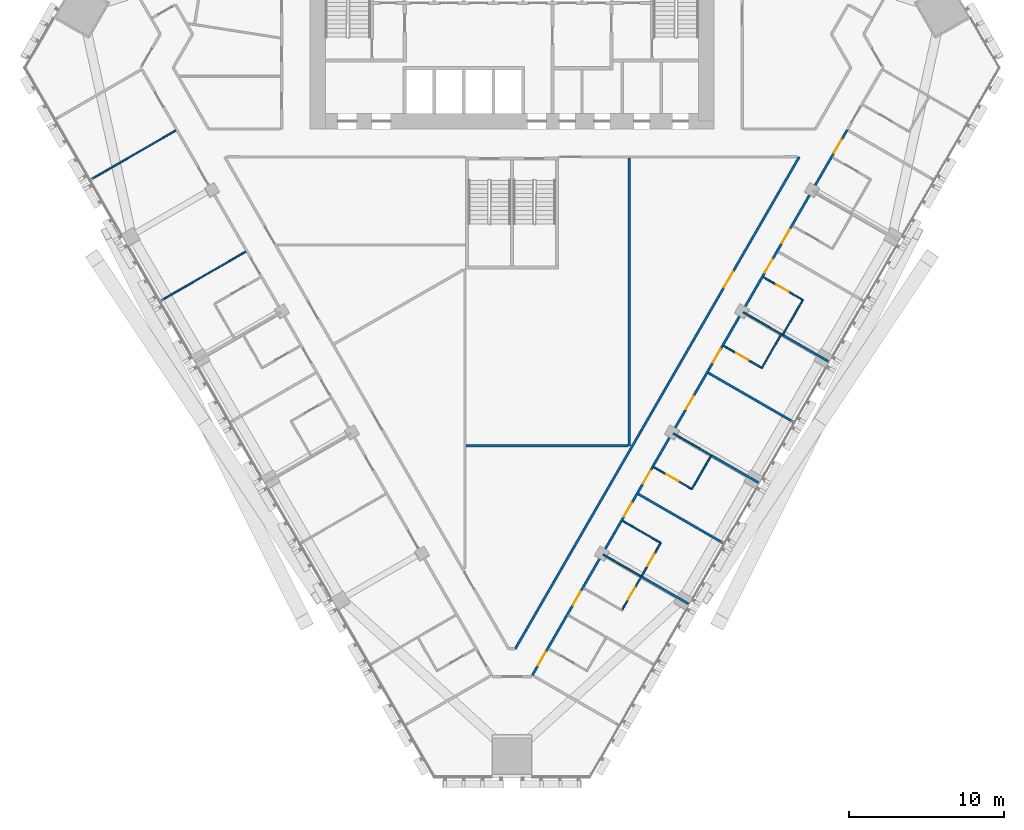
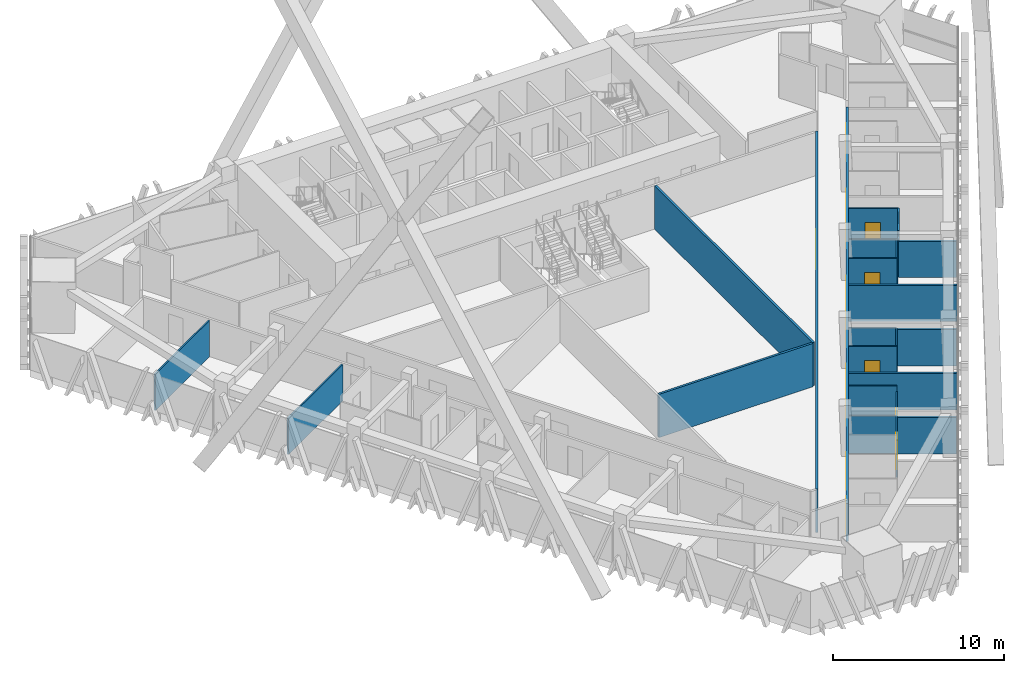
# One storey, part 17 of 24: 23 walls, 15 doors, 15 openings.
"""IFC4 building model written with IfcOpenShell, lengths in metres."""

import ifcopenshell
import ifcopenshell.guid

model = None  # the IFC model being written
_history = None  # IfcOwnerHistory: only IFC2X3 demands one
_inside = {}  # id of a spatial element -> (the spatial element, [elements in it])
_under = {}  # id of a project, library or spatial element -> (it, [spatial elements below it])
_declared = {}  # id of a project -> (the project, [libraries it declares])
_typed = {}  # id of a type object -> (the type object, [elements of that type])
_made_of = {}  # id of a material, layer set ... -> (it, [elements and type objects made of it])


def new_model(schema):
    """Start an empty IFC model of exactly this schema.

    Asked for "IFC4X3", IfcOpenShell would pick the latest addendum, in which some entities
    have other attributes; the version numbers below select the first issue.
    IFC2X3 requires an IfcOwnerHistory on every rooted entity: one is made here for all.
    """
    global model, _history
    if schema == "IFC4X3":
        model = ifcopenshell.file(schema_version=(4, 3, 0, 0))
    else:
        model = ifcopenshell.file(schema=schema)
    _inside.clear()
    _under.clear()
    _declared.clear()
    _typed.clear()
    _made_of.clear()
    _history = None
    if model.schema == "IFC2X3":
        org = make("IfcOrganization", Name="unknown")
        user = make(
            "IfcPersonAndOrganization",
            ThePerson=make("IfcPerson", FamilyName="unknown"),
            TheOrganization=org,
        )
        app = make(
            "IfcApplication",
            ApplicationDeveloper=org,
            Version="unknown",
            ApplicationFullName="unknown",
            ApplicationIdentifier="unknown",
        )
        _history = make(
            "IfcOwnerHistory",
            OwningUser=user,
            OwningApplication=app,
            ChangeAction="ADDED",
            CreationDate=0,
        )
    return model


def make(cls, **values):
    """One entity of the class cls with the attributes given. An attribute that is None is left unset."""
    return model.create_entity(
        cls, **{name: value for name, value in values.items() if value is not None}
    )


def rooted(cls, **values):
    """An entity with a GlobalId (a new one), such as an element, a storey or a relation."""
    return make(cls, GlobalId=ifcopenshell.guid.new(), OwnerHistory=_history, **values)


def si_unit(unit_type, name, prefix=None):
    """IfcSIUnit, for example si_unit("LENGTHUNIT", "METRE", prefix="MILLI")."""
    return make("IfcSIUnit", UnitType=unit_type, Prefix=prefix, Name=name)


def assignment(units):
    """IfcUnitAssignment: the units of a project."""
    return None if units is None else make("IfcUnitAssignment", Units=units)


def point(xyz):
    """IfcCartesianPoint."""
    return None if xyz is None else make("IfcCartesianPoint", Coordinates=xyz)


def direction(xyz):
    """IfcDirection."""
    return None if xyz is None else make("IfcDirection", DirectionRatios=xyz)


def frame(location, z_axis=None, x_axis=None):
    """IfcAxis2Placement3D, a coordinate frame: its origin and axes. An axis left out is left unset."""
    return make(
        "IfcAxis2Placement3D",
        Location=point(location),
        Axis=direction(z_axis),
        RefDirection=direction(x_axis),
    )


def frame_2d(location, x_axis=None):
    """IfcAxis2Placement2D, a coordinate frame in the plane: its origin and x axis."""
    return make(
        "IfcAxis2Placement2D", Location=point(location), RefDirection=direction(x_axis)
    )


def origin():
    """The frame at (0, 0, 0) with its axes left unset."""
    return frame((0.0, 0.0, 0.0))


def place(relative_to, where):
    """IfcLocalPlacement: puts the frame where relative to a parent placement (None: the world)."""
    return make(
        "IfcLocalPlacement", PlacementRelTo=relative_to, RelativePlacement=where
    )


def context(
    kind, dimensions, precision=None, world=None, true_north=None, identifier=None
):
    """IfcGeometricRepresentationContext, for example the 3D "Model" context."""
    return make(
        "IfcGeometricRepresentationContext",
        ContextIdentifier=identifier,
        ContextType=kind,
        CoordinateSpaceDimension=dimensions,
        Precision=precision,
        WorldCoordinateSystem=world,
        TrueNorth=true_north,
    )


def subcontext(parent, identifier, kind, view, scale=None):
    """IfcGeometricRepresentationSubContext, for example "Body" below "Model"."""
    return make(
        "IfcGeometricRepresentationSubContext",
        ContextIdentifier=identifier,
        ContextType=kind,
        ParentContext=parent,
        TargetScale=scale,
        TargetView=view,
    )


def project(units=None, contexts=None):
    """IfcProject with its units and contexts."""
    return rooted(
        "IfcProject",
        Name="project",
        RepresentationContexts=contexts,
        UnitsInContext=assignment(units),
    )


def spatial(cls, under=None, at=None, **own):
    """A site, building, storey or space (cls), placed at a placement, below another one or the project."""
    s = rooted(cls, ObjectPlacement=at, **own)
    if under is not None:
        _under.setdefault(under.id(), (under, []))[1].append(s)
    return s


def profile(cls, at=None, kind="AREA", **sizes):
    """A parametric profile (cls). Its sizes go by their IFC names, for example OverallWidth=200.0."""
    return make(cls, ProfileType=kind, Position=at, **sizes)


def rectangle(**sizes):
    """IfcRectangleProfileDef."""
    return profile("IfcRectangleProfileDef", **sizes)


def extrude(swept, where, along, depth):
    """IfcExtrudedAreaSolid: the profile swept, set in the frame where, extruded along a direction by depth."""
    return make(
        "IfcExtrudedAreaSolid",
        SweptArea=swept,
        Position=where,
        ExtrudedDirection=direction(along),
        Depth=depth,
    )


def shape(context_of_items, identifier, shape_type, items):
    """IfcShapeRepresentation: the items that make up one representation, for example the "Body"."""
    return make(
        "IfcShapeRepresentation",
        ContextOfItems=context_of_items,
        RepresentationIdentifier=identifier,
        RepresentationType=shape_type,
        Items=items,
    )


def material(Name=None, Category=None):
    """IfcMaterial."""
    return make("IfcMaterial", Name=Name, Category=Category)


def layer(
    of_material, thickness, ventilated=None, Name=None, Category=None, Priority=None
):
    """IfcMaterialLayer: one layer of a wall or slab, of a material (None: an air gap)."""
    return make(
        "IfcMaterialLayer",
        Material=of_material,
        LayerThickness=thickness,
        IsVentilated=ventilated,
        Name=Name,
        Category=Category,
        Priority=Priority,
    )


def layer_set(layers, Name=None):
    """IfcMaterialLayerSet."""
    return make("IfcMaterialLayerSet", MaterialLayers=layers, LayerSetName=Name)


def made_of(thing, what):
    """Note that an element or type object is made of a material, layer set ...; save() writes the relation."""
    if what is not None:
        _made_of.setdefault(what.id(), (what, []))[1].append(thing)
    return thing


def type_object(cls, material=None, **own):
    """A type object (cls), such as IfcWallType, which elements share."""
    return made_of(rooted(cls, **own), material)


def element(
    cls,
    number,
    at=None,
    inside=None,
    cuts=None,
    type_object=None,
    material=None,
    context=None,
    identifier="Body",
    shape_type=None,
    held_by="IfcProductDefinitionShape",
    body=None,
    shapes=None,
    **own,
):
    """One element of the class cls, such as IfcWall. Its Tag is "e" and its number.

    at: its placement. inside: the storey or other place that contains it. cuts: it is an
    opening in that element (IfcRelVoidsElement). A single representation is given by context,
    identifier, shape_type and body (its items); several are given by shapes. held_by: the class
    of the entity that holds the representations. save() writes the other relations.
    """
    e = rooted(cls, Tag="e%d" % number, ObjectPlacement=at, **own)
    if body is not None:
        shapes = [shape(context, identifier, shape_type, body)]
    if shapes is not None:
        e.Representation = make(held_by, Representations=shapes)
    if inside is not None:
        _inside.setdefault(inside.id(), (inside, []))[1].append(e)
    if cuts is not None:
        rooted(
            "IfcRelVoidsElement", RelatingBuildingElement=cuts, RelatedOpeningElement=e
        )
    if type_object is not None:
        _typed.setdefault(type_object.id(), (type_object, []))[1].append(e)
    return made_of(e, material)


def fill(opening, filler):
    """IfcRelFillsElement: the door or window that sits in an opening."""
    return rooted(
        "IfcRelFillsElement",
        RelatingOpeningElement=opening,
        RelatedBuildingElement=filler,
    )


def aggregate(whole, parts):
    """IfcRelAggregates: a whole, such as a stair, and the parts it consists of."""
    return rooted("IfcRelAggregates", RelatingObject=whole, RelatedObjects=parts)


def save(model, path):
    """Write the relations noted so far, then the file.

    IfcRelAggregates (storeys below a building ...), IfcRelContainedInSpatialStructure (elements
    in a storey), IfcRelDefinesByType, IfcRelAssociatesMaterial and IfcRelDeclares: one each for
    every whole, place, type object, material and project.
    """
    for whole, parts in _under.values():
        aggregate(whole, parts)
    for where, things in _inside.values():
        rooted(
            "IfcRelContainedInSpatialStructure",
            RelatedElements=things,
            RelatingStructure=where,
        )
    for kind, things in _typed.values():
        rooted("IfcRelDefinesByType", RelatedObjects=things, RelatingType=kind)
    for what, things in _made_of.values():
        rooted("IfcRelAssociatesMaterial", RelatedObjects=things, RelatingMaterial=what)
    for by, libraries in _declared.values():
        rooted("IfcRelDeclares", RelatingContext=by, RelatedDefinitions=libraries)
    model.write(path)


model = new_model("IFC4")

# Units and contexts
model_context = context("Model", 3, precision=1e-05, world=origin(), true_north=direction((0.0, 1.0)))
body_context = subcontext(model_context, "Body", "Model", "MODEL_VIEW")
ifc_project = project(units=[si_unit("LENGTHUNIT", "METRE"), si_unit("AREAUNIT", "SQUARE_METRE"), si_unit("VOLUMEUNIT", "CUBIC_METRE"), si_unit("PLANEANGLEUNIT", "RADIAN"), si_unit("MASSUNIT", "GRAM", prefix="KILO")], contexts=[model_context])

# Site, building, storey
site_placement = place(None, origin())
site = spatial("IfcSite", under=ifc_project, at=site_placement, CompositionType="ELEMENT")
building_placement = place(site_placement, origin())
building = spatial("IfcBuilding", under=site, at=building_placement, Name="Altiplano Prism Tower", CompositionType="ELEMENT")
storey_placement = place(building_placement, frame((0.0, 0.0, 27.0)))
storey = spatial("IfcBuildingStorey", under=building, at=storey_placement, Name="L05", CompositionType="ELEMENT", Elevation=27.0)

# Wall
ifc_material_1 = material(Name="Plasterboard on steel stud", Category="steel")
ifc_layer_1 = layer(ifc_material_1, 0.10009765625)
ifc_layer_set_1 = layer_set([ifc_layer_1], Name="Plasterboard on steel stud")
wall_type_1 = type_object("IfcWallType", Name="Partition 100 unit", PredefinedType="PARTITIONING", material=ifc_layer_set_1)
wall_1_placement = place(storey_placement, frame((92.122314453125, 67.186279296875, 0.0), z_axis=(0.0, 0.0, 1.0), x_axis=(0.866011447264, -0.500024172624, 0.0)))
element("IfcWall", 1, at=wall_1_placement, inside=storey, type_object=wall_type_1, Name="Partition P02 L05 063", PredefinedType="PARTITIONING", context=body_context, shape_type="SweptSolid", body=[
    extrude(rectangle(XDim=2.824951171875, YDim=0.10009765625, at=frame_2d((1.41259765625, 0.0))), origin(), (0.0, 0.0, 1.0), 3.10009765625),
])

# Wall, openings, doors
wall_2_placement = place(storey_placement, frame((94.56884765625, 65.773681640625, 0.0), z_axis=(0.0, 0.0, 1.0), x_axis=(-0.500004234368, -0.866022959057, 0.0)))
wall_2 = element("IfcWall", 2, at=wall_2_placement, inside=storey, type_object=wall_type_1, Name="Partition P02 L05 064", PredefinedType="PARTITIONING", context=body_context, shape_type="SweptSolid", body=[
    extrude(rectangle(XDim=5.0, YDim=0.10009765625, at=frame_2d((2.5, 0.0))), origin(), (0.0, 0.0, 1.0), 2.699951171875),
])
opening_1_placement = place(wall_2_placement, frame((3.300048828125, 0.0, 0.0)))
opening_1 = element("IfcOpeningElement", 3, at=opening_1_placement, cuts=wall_2, Name="Opening D0156", PredefinedType="OPENING", context=body_context, shape_type="SweptSolid", body=[
    extrude(rectangle(XDim=0.89990234375, YDim=2.10009765625, at=frame_2d((0.449951171875, 1.050048828125))), frame((0.0, 0.060546875, 0.0), z_axis=(0.0, -1.0, 0.0), x_axis=(1.0, 0.0, 0.0)), (0.0, 0.0, 1.0), 0.12109375),
])
opening_2_placement = place(wall_2_placement, frame((0.800048828125, 0.0, 0.0)))
opening_2 = element("IfcOpeningElement", 4, at=opening_2_placement, cuts=wall_2, Name="Opening D0158", PredefinedType="OPENING", context=body_context, shape_type="SweptSolid", body=[
    extrude(rectangle(XDim=0.89990234375, YDim=2.10009765625, at=frame_2d((0.449951171875, 1.050048828125))), frame((0.0, 0.060546875, 0.0), z_axis=(0.0, -1.0, 0.0), x_axis=(1.0, 0.0, 0.0)), (0.0, 0.0, 1.0), 0.12109375),
])
ifc_material_2 = material(Name="Timber", Category="wood")
door_type_1 = type_object("IfcDoorType", Name="Ensuite door 900 x 2100", OperationType="NOTDEFINED", PredefinedType="NOTDEFINED", material=ifc_material_2)
door_1_placement = place(opening_1_placement, origin())
door_1 = element("IfcDoor", 5, at=door_1_placement, inside=storey, type_object=door_type_1, Name="Door D0156", OperationType="SINGLE_SWING_RIGHT", OverallHeight=2.10009765625, OverallWidth=0.89990234375, PredefinedType="NOTDEFINED", context=body_context, shape_type="SweptSolid", body=[
    extrude(rectangle(XDim=0.89990234375, YDim=2.10009765625, at=frame_2d((0.449951171875, 1.050048828125))), frame((0.0, 0.02490234375, 0.0), z_axis=(0.0, -1.0, 0.0), x_axis=(1.0, 0.0, 0.0)), (0.0, 0.0, 1.0), 0.050048828125),
])
fill(opening_1, door_1)
door_2_placement = place(opening_2_placement, origin())
door_2 = element("IfcDoor", 6, at=door_2_placement, inside=storey, type_object=door_type_1, Name="Door D0158", OperationType="SINGLE_SWING_RIGHT", OverallHeight=2.10009765625, OverallWidth=0.89990234375, PredefinedType="NOTDEFINED", context=body_context, shape_type="SweptSolid", body=[
    extrude(rectangle(XDim=0.89990234375, YDim=2.10009765625, at=frame_2d((0.449951171875, 1.050048828125))), frame((0.0, 0.02490234375, 0.0), z_axis=(0.0, -1.0, 0.0), x_axis=(1.0, 0.0, 0.0)), (0.0, 0.0, 1.0), 0.050048828125),
])
fill(opening_2, door_2)

# Wall
wall_3_placement = place(storey_placement, frame((97.78125, 71.337890625, 0.0), z_axis=(0.0, 0.0, 1.0), x_axis=(-0.499972286653, -0.866041403502, 0.0)))
element("IfcWall", 7, at=wall_3_placement, inside=storey, type_object=wall_type_1, Name="Partition P02 L05 066", PredefinedType="PARTITIONING", context=body_context, shape_type="SweptSolid", body=[
    extrude(rectangle(XDim=2.425048828125, YDim=0.10009765625, at=frame_2d((1.21240234375, 0.0))), origin(), (0.0, 0.0, 1.0), 2.699951171875),
])

# Wall, opening, door
wall_4_placement = place(storey_placement, frame((96.56884765625, 69.23779296875, 0.0), z_axis=(0.0, 0.0, 1.0), x_axis=(-0.866011447264, 0.500024172624, 0.0)))
wall_4 = element("IfcWall", 8, at=wall_4_placement, inside=storey, type_object=wall_type_1, Name="Partition P02 L05 067", PredefinedType="PARTITIONING", context=body_context, shape_type="SweptSolid", body=[
    extrude(rectangle(XDim=2.824951171875, YDim=0.10009765625, at=frame_2d((1.41259765625, 0.0))), origin(), (0.0, 0.0, 1.0), 3.10009765625),
])
opening_3_placement = place(wall_4_placement, frame((1.0, 0.0, 0.0)))
opening_3 = element("IfcOpeningElement", 9, at=opening_3_placement, cuts=wall_4, Name="Opening D0160", PredefinedType="OPENING", context=body_context, shape_type="SweptSolid", body=[
    extrude(rectangle(XDim=0.89990234375, YDim=2.10009765625, at=frame_2d((0.449951171875, 1.050048828125))), frame((0.0, 0.060546875, 0.0), z_axis=(0.0, -1.0, 0.0), x_axis=(1.0, 0.0, 0.0)), (0.0, 0.0, 1.0), 0.12109375),
])
door_3_placement = place(opening_3_placement, origin())
door_3 = element("IfcDoor", 10, at=door_3_placement, inside=storey, type_object=door_type_1, Name="Door D0160", OperationType="SINGLE_SWING_RIGHT", OverallHeight=2.10009765625, OverallWidth=0.89990234375, PredefinedType="NOTDEFINED", context=body_context, shape_type="SweptSolid", body=[
    extrude(rectangle(XDim=0.89990234375, YDim=2.10009765625, at=frame_2d((0.449951171875, 1.050048828125))), frame((0.0, 0.02490234375, 0.0), z_axis=(0.0, -1.0, 0.0), x_axis=(1.0, 0.0, 0.0)), (0.0, 0.0, 1.0), 0.050048828125),
])
fill(opening_3, door_3)

# Wall
wall_5_placement = place(storey_placement, frame((102.31884765625, 79.197021484375, 0.0), z_axis=(0.0, 0.0, 1.0), x_axis=(-0.500004234368, -0.866022959057, 0.0)))
element("IfcWall", 11, at=wall_5_placement, inside=storey, type_object=wall_type_1, Name="Partition P02 L05 071", PredefinedType="PARTITIONING", context=body_context, shape_type="SweptSolid", body=[
    extrude(rectangle(XDim=2.5, YDim=0.10009765625, at=frame_2d((1.25, 0.0))), origin(), (0.0, 0.0, 1.0), 2.699951171875),
])

# Wall, opening, door
wall_6_placement = place(storey_placement, frame((101.06884765625, 77.031982421875, 0.0), z_axis=(0.0, 0.0, 1.0), x_axis=(-0.866011447264, 0.500024172624, 0.0)))
wall_6 = element("IfcWall", 12, at=wall_6_placement, inside=storey, type_object=wall_type_1, Name="Partition P02 L05 072", PredefinedType="PARTITIONING", context=body_context, shape_type="SweptSolid", body=[
    extrude(rectangle(XDim=2.824951171875, YDim=0.10009765625, at=frame_2d((1.41259765625, 0.0))), origin(), (0.0, 0.0, 1.0), 3.10009765625),
])
opening_4_placement = place(wall_6_placement, frame((1.0, 0.0, 0.0)))
opening_4 = element("IfcOpeningElement", 13, at=opening_4_placement, cuts=wall_6, Name="Opening D0163", PredefinedType="OPENING", context=body_context, shape_type="SweptSolid", body=[
    extrude(rectangle(XDim=0.89990234375, YDim=2.10009765625, at=frame_2d((0.449951171875, 1.050048828125))), frame((0.0, 0.060546875, 0.0), z_axis=(0.0, -1.0, 0.0), x_axis=(1.0, 0.0, 0.0)), (0.0, 0.0, 1.0), 0.12109375),
])
door_4_placement = place(opening_4_placement, origin())
door_4 = element("IfcDoor", 14, at=door_4_placement, inside=storey, type_object=door_type_1, Name="Door D0163", OperationType="SINGLE_SWING_LEFT", OverallHeight=2.10009765625, OverallWidth=0.89990234375, PredefinedType="NOTDEFINED", context=body_context, shape_type="SweptSolid", body=[
    extrude(rectangle(XDim=0.89990234375, YDim=2.10009765625, at=frame_2d((0.449951171875, 1.050048828125))), frame((0.0, 0.02490234375, 0.0), z_axis=(0.0, -1.0, 0.0), x_axis=(1.0, 0.0, 0.0)), (0.0, 0.0, 1.0), 0.050048828125),
])
fill(opening_4, door_4)

wall_7_placement = place(storey_placement, frame((101.17236328125, 82.861328125, 0.0), z_axis=(0.0, 0.0, 1.0), x_axis=(0.86601045545, -0.500025890382, 0.0)))
wall_7 = element("IfcWall", 15, at=wall_7_placement, inside=storey, type_object=wall_type_1, Name="Partition P02 L05 075", PredefinedType="PARTITIONING", context=body_context, shape_type="SweptSolid", body=[
    extrude(rectangle(XDim=2.925048828125, YDim=0.10009765625, at=frame_2d((1.46240234375, 0.0))), origin(), (0.0, 0.0, 1.0), 3.10009765625),
])
opening_5_placement = place(wall_7_placement, frame((0.97509765625, 0.0, 0.0)))
opening_5 = element("IfcOpeningElement", 16, at=opening_5_placement, cuts=wall_7, Name="Opening D0165", PredefinedType="OPENING", context=body_context, shape_type="SweptSolid", body=[
    extrude(rectangle(XDim=0.89990234375, YDim=2.10009765625, at=frame_2d((0.449951171875, 1.050048828125))), frame((0.0, 0.060546875, 0.0), z_axis=(0.0, -1.0, 0.0), x_axis=(1.0, 0.0, 0.0)), (0.0, 0.0, 1.0), 0.12109375),
])
door_5_placement = place(opening_5_placement, origin())
door_5 = element("IfcDoor", 17, at=door_5_placement, inside=storey, type_object=door_type_1, Name="Door D0165", OperationType="SINGLE_SWING_RIGHT", OverallHeight=2.10009765625, OverallWidth=0.89990234375, PredefinedType="NOTDEFINED", context=body_context, shape_type="SweptSolid", body=[
    extrude(rectangle(XDim=0.89990234375, YDim=2.10009765625, at=frame_2d((0.449951171875, 1.050048828125))), frame((0.0, 0.02490234375, 0.0), z_axis=(0.0, -1.0, 0.0), x_axis=(1.0, 0.0, 0.0)), (0.0, 0.0, 1.0), 0.050048828125),
])
fill(opening_5, door_5)

# Walls
wall_8_placement = place(storey_placement, frame((103.70556640625, 81.398681640625, 0.0), z_axis=(0.0, 0.0, 1.0), x_axis=(-0.500077740698, -0.865980515519, 0.0)))
element("IfcWall", 18, at=wall_8_placement, inside=storey, type_object=wall_type_1, Name="Partition P02 L05 076", PredefinedType="PARTITIONING", context=body_context, shape_type="SweptSolid", body=[
    extrude(rectangle(XDim=2.300048828125, YDim=0.10009765625, at=frame_2d((1.14990234375, 0.0))), origin(), (0.0, 0.0, 1.0), 3.10009765625),
])
wall_9_placement = place(storey_placement, frame((102.555419921875, 79.406982421875, 0.0), z_axis=(0.0, 0.0, 1.0), x_axis=(-0.499816412211, -0.866131372301, 0.0)))
element("IfcWall", 19, at=wall_9_placement, inside=storey, type_object=wall_type_1, Name="Partition P02 L05 077", PredefinedType="PARTITIONING", context=body_context, shape_type="SweptSolid", body=[
    extrude(rectangle(XDim=0.2998046875, YDim=0.10009765625, at=frame_2d((0.14990234375, 0.0))), origin(), (0.0, 0.0, 1.0), 2.699951171875),
])
ifc_layer_2 = layer(ifc_material_1, 0.10009765625)
ifc_layer_set_2 = layer_set([ifc_layer_2], Name="Plasterboard on steel stud")
wall_type_2 = type_object("IfcWallType", Name="Partition 100 wet", PredefinedType="PARTITIONING", material=ifc_layer_set_2)
for number, where, z_axis, x_axis, name in (
    (20, (57.882568359375, 89.12841796875, 0.0), (0.0, 0.0, 1.0), (0.866025401434, 0.500000004071, 0.0), "Partition P03 L05 038"),
    (21, (62.382568359375, 81.334228515625, 0.0), (0.0, 0.0, 1.0), (0.866025401434, 0.500000004071, 0.0), "Partition P03 L05 039"),
):
    element("IfcWall", number, at=place(storey_placement, frame(where, z_axis=z_axis, x_axis=x_axis)), inside=storey, type_object=wall_type_2, Name=name, PredefinedType="PARTITIONING", context=body_context, shape_type="SweptSolid", body=[
        extrude(rectangle(XDim=6.34521484375, YDim=0.10009765625, at=frame_2d((3.172607421875, 0.0))), origin(), (0.0, 0.0, 1.0), 2.60009765625),
    ])
wall_10_placement = place(storey_placement, frame((93.275634765625, 63.633544921875, 0.0), z_axis=(0.0, 0.0, 1.0), x_axis=(-0.86600392025, 0.500037208726, 0.0)))
element("IfcWall", 22, at=wall_10_placement, inside=storey, type_object=wall_type_2, Name="Partition P03 L05 062", PredefinedType="PARTITIONING", context=body_context, shape_type="SweptSolid", body=[
    extrude(rectangle(XDim=2.775146484375, YDim=0.10009765625, at=frame_2d((1.3876953125, 0.0))), origin(), (0.0, 0.0, 1.0), 2.699951171875),
])
wall_11_placement = place(storey_placement, frame((97.801513671875, 71.412841796875, 0.0), z_axis=(0.0, 0.0, 1.0), x_axis=(-0.866011654119, 0.500023814363, 0.0)))
element("IfcWall", 23, at=wall_11_placement, inside=storey, type_object=wall_type_2, Name="Partition P03 L05 069", PredefinedType="PARTITIONING", context=body_context, shape_type="SweptSolid", body=[
    extrude(rectangle(XDim=2.804931640625, YDim=0.10009765625, at=frame_2d((1.40234375, 0.0))), origin(), (0.0, 0.0, 1.0), 2.699951171875),
])
wall_12_placement = place(storey_placement, frame((102.336181640625, 79.18701171875, 0.0), z_axis=(0.0, 0.0, 1.0), x_axis=(-0.866011243319, 0.500024525844, 0.0)))
element("IfcWall", 24, at=wall_12_placement, inside=storey, type_object=wall_type_2, Name="Partition P03 L05 074", PredefinedType="PARTITIONING", context=body_context, shape_type="SweptSolid", body=[
    extrude(rectangle(XDim=2.844970703125, YDim=0.10009765625, at=frame_2d((1.42236328125, 0.0))), origin(), (0.0, 0.0, 1.0), 2.699951171875),
])

# Wall, openings, doors
ifc_layer_3 = layer(ifc_material_1, 0.14990234375)
ifc_layer_set_3 = layer_set([ifc_layer_3], Name="Plasterboard on steel stud")
wall_type_3 = type_object("IfcWallType", Name="Partition 150 corridor", PredefinedType="PARTITIONING", material=ifc_layer_set_3)
wall_13_placement = place(storey_placement, frame((86.307373046875, 57.264404296875, 0.0), z_axis=(0.0, 0.0, 1.0), x_axis=(0.500000579958, 0.866025068945, 0.0)))
wall_13 = element("IfcWall", 25, at=wall_13_placement, inside=storey, type_object=wall_type_3, Name="Partition P06 L05 012", PredefinedType="PARTITIONING", context=body_context, shape_type="SweptSolid", body=[
    extrude(rectangle(XDim=40.5, YDim=0.14990234375, at=frame_2d((20.25, 0.0))), origin(), (0.0, 0.0, 1.0), 2.699951171875),
])
opening_6_placement = place(wall_13_placement, frame((0.719970703125, 0.0, 0.0)))
opening_6 = element("IfcOpeningElement", 26, at=opening_6_placement, cuts=wall_13, Name="Opening D0153", PredefinedType="OPENING", context=body_context, shape_type="SweptSolid", body=[
    extrude(rectangle(XDim=1.0, YDim=2.10009765625, at=frame_2d((0.5, 1.050048828125))), frame((0.0, 0.08544921875, 0.0), z_axis=(0.0, -1.0, 0.0), x_axis=(1.0, 0.0, 0.0)), (0.0, 0.0, 1.0), 0.1708984375),
])
opening_7_placement = place(wall_13_placement, frame((5.219970703125, 0.0, 0.0)))
opening_7 = element("IfcOpeningElement", 27, at=opening_7_placement, cuts=wall_13, Name="Opening D0155", PredefinedType="OPENING", context=body_context, shape_type="SweptSolid", body=[
    extrude(rectangle(XDim=1.0, YDim=2.10009765625, at=frame_2d((0.5, 1.050048828125))), frame((0.0, 0.08544921875, 0.0), z_axis=(0.0, -1.0, 0.0), x_axis=(1.0, 0.0, 0.0)), (0.0, 0.0, 1.0), 0.1708984375),
])
opening_8_placement = place(wall_13_placement, frame((11.780029296875, 0.0, 0.0)))
opening_8 = element("IfcOpeningElement", 28, at=opening_8_placement, cuts=wall_13, Name="Opening D0157", PredefinedType="OPENING", context=body_context, shape_type="SweptSolid", body=[
    extrude(rectangle(XDim=1.0, YDim=2.10009765625, at=frame_2d((0.5, 1.050048828125))), frame((0.0, 0.08544921875, 0.0), z_axis=(0.0, -1.0, 0.0), x_axis=(1.0, 0.0, 0.0)), (0.0, 0.0, 1.0), 0.1708984375),
])
opening_9_placement = place(wall_13_placement, frame((14.219970703125, 0.0, 0.0)))
opening_9 = element("IfcOpeningElement", 29, at=opening_9_placement, cuts=wall_13, Name="Opening D0159", PredefinedType="OPENING", context=body_context, shape_type="SweptSolid", body=[
    extrude(rectangle(XDim=1.0, YDim=2.10009765625, at=frame_2d((0.5, 1.050048828125))), frame((0.0, 0.08544921875, 0.0), z_axis=(0.0, -1.0, 0.0), x_axis=(1.0, 0.0, 0.0)), (0.0, 0.0, 1.0), 0.1708984375),
])
opening_10_placement = place(wall_13_placement, frame((19.75, 0.0, 0.0)))
opening_10 = element("IfcOpeningElement", 30, at=opening_10_placement, cuts=wall_13, Name="Opening D0161", PredefinedType="OPENING", context=body_context, shape_type="SweptSolid", body=[
    extrude(rectangle(XDim=1.0, YDim=2.10009765625, at=frame_2d((0.5, 1.050048828125))), frame((0.0, 0.08544921875, 0.0), z_axis=(0.0, -1.0, 0.0), x_axis=(1.0, 0.0, 0.0)), (0.0, 0.0, 1.0), 0.1708984375),
])
opening_11_placement = place(wall_13_placement, frame((23.219970703125, 0.0, 0.0)))
opening_11 = element("IfcOpeningElement", 31, at=opening_11_placement, cuts=wall_13, Name="Opening D0162", PredefinedType="OPENING", context=body_context, shape_type="SweptSolid", body=[
    extrude(rectangle(XDim=1.0, YDim=2.10009765625, at=frame_2d((0.5, 1.050048828125))), frame((0.0, 0.08544921875, 0.0), z_axis=(0.0, -1.0, 0.0), x_axis=(1.0, 0.0, 0.0)), (0.0, 0.0, 1.0), 0.1708984375),
])
opening_12_placement = place(wall_13_placement, frame((29.89501953125, 0.0, 0.0)))
opening_12 = element("IfcOpeningElement", 32, at=opening_12_placement, cuts=wall_13, Name="Opening D0164", PredefinedType="OPENING", context=body_context, shape_type="SweptSolid", body=[
    extrude(rectangle(XDim=1.0, YDim=2.10009765625, at=frame_2d((0.5, 1.050048828125))), frame((0.0, 0.08544921875, 0.0), z_axis=(0.0, -1.0, 0.0), x_axis=(1.0, 0.0, 0.0)), (0.0, 0.0, 1.0), 0.1708984375),
])
opening_13_placement = place(wall_13_placement, frame((32.10498046875, 0.0, 0.0)))
opening_13 = element("IfcOpeningElement", 33, at=opening_13_placement, cuts=wall_13, Name="Opening D0166", PredefinedType="OPENING", context=body_context, shape_type="SweptSolid", body=[
    extrude(rectangle(XDim=1.0, YDim=2.10009765625, at=frame_2d((0.5, 1.050048828125))), frame((0.0, 0.08544921875, 0.0), z_axis=(0.0, -1.0, 0.0), x_axis=(1.0, 0.0, 0.0)), (0.0, 0.0, 1.0), 0.1708984375),
])
opening_14_placement = place(wall_13_placement, frame((38.780029296875, 0.0, 0.0)))
opening_14 = element("IfcOpeningElement", 34, at=opening_14_placement, cuts=wall_13, Name="Opening D0168", PredefinedType="OPENING", context=body_context, shape_type="SweptSolid", body=[
    extrude(rectangle(XDim=1.0, YDim=2.10009765625, at=frame_2d((0.5, 1.050048828125))), frame((0.0, 0.08544921875, 0.0), z_axis=(0.0, -1.0, 0.0), x_axis=(1.0, 0.0, 0.0)), (0.0, 0.0, 1.0), 0.1708984375),
])
door_type_2 = type_object("IfcDoorType", Name="Bedroom entrance door 1000 x 2100", OperationType="NOTDEFINED", PredefinedType="NOTDEFINED", material=ifc_material_2)
door_6_placement = place(opening_6_placement, origin())
door_6 = element("IfcDoor", 35, at=door_6_placement, inside=storey, type_object=door_type_2, Name="Door D0153", OperationType="SINGLE_SWING_RIGHT", OverallHeight=2.10009765625, OverallWidth=1.0, PredefinedType="NOTDEFINED", context=body_context, shape_type="SweptSolid", body=[
    extrude(rectangle(XDim=1.0, YDim=2.10009765625, at=frame_2d((0.5, 1.050048828125))), frame((0.0, 0.02490234375, 0.0), z_axis=(0.0, -1.0, 0.0), x_axis=(1.0, 0.0, 0.0)), (0.0, 0.0, 1.0), 0.050048828125),
])
fill(opening_6, door_6)
door_7_placement = place(opening_7_placement, origin())
door_7 = element("IfcDoor", 36, at=door_7_placement, inside=storey, type_object=door_type_2, Name="Door D0155", OperationType="SINGLE_SWING_RIGHT", OverallHeight=2.10009765625, OverallWidth=1.0, PredefinedType="NOTDEFINED", context=body_context, shape_type="SweptSolid", body=[
    extrude(rectangle(XDim=1.0, YDim=2.10009765625, at=frame_2d((0.5, 1.050048828125))), frame((0.0, 0.02490234375, 0.0), z_axis=(0.0, -1.0, 0.0), x_axis=(1.0, 0.0, 0.0)), (0.0, 0.0, 1.0), 0.050048828125),
])
fill(opening_7, door_7)
door_8_placement = place(opening_8_placement, origin())
door_8 = element("IfcDoor", 37, at=door_8_placement, inside=storey, type_object=door_type_2, Name="Door D0157", OperationType="SINGLE_SWING_RIGHT", OverallHeight=2.10009765625, OverallWidth=1.0, PredefinedType="NOTDEFINED", context=body_context, shape_type="SweptSolid", body=[
    extrude(rectangle(XDim=1.0, YDim=2.10009765625, at=frame_2d((0.5, 1.050048828125))), frame((0.0, 0.02490234375, 0.0), z_axis=(0.0, -1.0, 0.0), x_axis=(1.0, 0.0, 0.0)), (0.0, 0.0, 1.0), 0.050048828125),
])
fill(opening_8, door_8)
door_9_placement = place(opening_9_placement, origin())
door_9 = element("IfcDoor", 38, at=door_9_placement, inside=storey, type_object=door_type_2, Name="Door D0159", OperationType="SINGLE_SWING_LEFT", OverallHeight=2.10009765625, OverallWidth=1.0, PredefinedType="NOTDEFINED", context=body_context, shape_type="SweptSolid", body=[
    extrude(rectangle(XDim=1.0, YDim=2.10009765625, at=frame_2d((0.5, 1.050048828125))), frame((0.0, 0.02490234375, 0.0), z_axis=(0.0, -1.0, 0.0), x_axis=(1.0, 0.0, 0.0)), (0.0, 0.0, 1.0), 0.050048828125),
])
fill(opening_9, door_9)
door_10_placement = place(opening_11_placement, origin())
door_10 = element("IfcDoor", 39, at=door_10_placement, inside=storey, type_object=door_type_2, Name="Door D0162", OperationType="SINGLE_SWING_RIGHT", OverallHeight=2.10009765625, OverallWidth=1.0, PredefinedType="NOTDEFINED", context=body_context, shape_type="SweptSolid", body=[
    extrude(rectangle(XDim=1.0, YDim=2.10009765625, at=frame_2d((0.5, 1.050048828125))), frame((0.0, 0.02490234375, 0.0), z_axis=(0.0, -1.0, 0.0), x_axis=(1.0, 0.0, 0.0)), (0.0, 0.0, 1.0), 0.050048828125),
])
fill(opening_11, door_10)
door_11_placement = place(opening_12_placement, origin())
door_11 = element("IfcDoor", 40, at=door_11_placement, inside=storey, type_object=door_type_2, Name="Door D0164", OperationType="SINGLE_SWING_RIGHT", OverallHeight=2.10009765625, OverallWidth=1.0, PredefinedType="NOTDEFINED", context=body_context, shape_type="SweptSolid", body=[
    extrude(rectangle(XDim=1.0, YDim=2.10009765625, at=frame_2d((0.5, 1.050048828125))), frame((0.0, 0.02490234375, 0.0), z_axis=(0.0, -1.0, 0.0), x_axis=(1.0, 0.0, 0.0)), (0.0, 0.0, 1.0), 0.050048828125),
])
fill(opening_12, door_11)
door_12_placement = place(opening_13_placement, origin())
door_12 = element("IfcDoor", 41, at=door_12_placement, inside=storey, type_object=door_type_2, Name="Door D0166", OperationType="SINGLE_SWING_LEFT", OverallHeight=2.10009765625, OverallWidth=1.0, PredefinedType="NOTDEFINED", context=body_context, shape_type="SweptSolid", body=[
    extrude(rectangle(XDim=1.0, YDim=2.10009765625, at=frame_2d((0.5, 1.050048828125))), frame((0.0, 0.02490234375, 0.0), z_axis=(0.0, -1.0, 0.0), x_axis=(1.0, 0.0, 0.0)), (0.0, 0.0, 1.0), 0.050048828125),
])
fill(opening_13, door_12)
door_13_placement = place(opening_14_placement, origin())
door_13 = element("IfcDoor", 42, at=door_13_placement, inside=storey, type_object=door_type_2, Name="Door D0168", OperationType="SINGLE_SWING_RIGHT", OverallHeight=2.10009765625, OverallWidth=1.0, PredefinedType="NOTDEFINED", context=body_context, shape_type="SweptSolid", body=[
    extrude(rectangle(XDim=1.0, YDim=2.10009765625, at=frame_2d((0.5, 1.050048828125))), frame((0.0, 0.02490234375, 0.0), z_axis=(0.0, -1.0, 0.0), x_axis=(1.0, 0.0, 0.0)), (0.0, 0.0, 1.0), 0.050048828125),
])
fill(opening_14, door_13)
door_type_3 = type_object("IfcDoorType", Name="Room door 1000 x 2100", OperationType="NOTDEFINED", PredefinedType="NOTDEFINED", material=ifc_material_2)
door_14_placement = place(opening_10_placement, origin())
door_14 = element("IfcDoor", 43, at=door_14_placement, inside=storey, type_object=door_type_3, Name="Door D0161", OperationType="SINGLE_SWING_LEFT", OverallHeight=2.10009765625, OverallWidth=1.0, PredefinedType="NOTDEFINED", context=body_context, shape_type="SweptSolid", body=[
    extrude(rectangle(XDim=1.0, YDim=2.10009765625, at=frame_2d((0.5, 1.050048828125))), frame((0.0, 0.02490234375, 0.0), z_axis=(0.0, -1.0, 0.0), x_axis=(1.0, 0.0, 0.0)), (0.0, 0.0, 1.0), 0.050048828125),
])
fill(opening_10, door_14)

# Wall, opening, door
wall_14_placement = place(storey_placement, frame((103.475341796875, 90.60009765625, 0.0), z_axis=(0.0, 0.0, 1.0), x_axis=(-0.500000687442, -0.866025006889, 0.0)))
wall_14 = element("IfcWall", 44, at=wall_14_placement, inside=storey, type_object=wall_type_3, Name="Partition P06 L05 017", PredefinedType="PARTITIONING", context=body_context, shape_type="SweptSolid", body=[
    extrude(rectangle(XDim=36.53466796875, YDim=0.14990234375, at=frame_2d((18.267333984375, 0.0))), origin(), (0.0, 0.0, 1.0), 3.10009765625),
])
opening_15_placement = place(wall_14_placement, frame((8.507080078125, 0.0, 0.0)))
opening_15 = element("IfcOpeningElement", 45, at=opening_15_placement, cuts=wall_14, Name="Opening D0174", PredefinedType="OPENING", context=body_context, shape_type="SweptSolid", body=[
    extrude(rectangle(XDim=1.199951171875, YDim=2.10009765625, at=frame_2d((0.60009765625, 1.050048828125))), frame((0.0, 0.08544921875, 0.0), z_axis=(0.0, -1.0, 0.0), x_axis=(1.0, 0.0, 0.0)), (0.0, 0.0, 1.0), 0.1708984375),
])
door_type_4 = type_object("IfcDoorType", Name="Shared room door 1200 x 2100", OperationType="NOTDEFINED", PredefinedType="NOTDEFINED", material=ifc_material_2)
door_15_placement = place(opening_15_placement, origin())
door_15 = element("IfcDoor", 46, at=door_15_placement, inside=storey, type_object=door_type_4, Name="Door D0174", OperationType="SINGLE_SWING_RIGHT", OverallHeight=2.10009765625, OverallWidth=1.199951171875, PredefinedType="NOTDEFINED", context=body_context, shape_type="SweptSolid", body=[
    extrude(rectangle(XDim=1.199951171875, YDim=2.10009765625, at=frame_2d((0.60009765625, 1.050048828125))), frame((0.0, 0.02490234375, 0.0), z_axis=(0.0, -1.0, 0.0), x_axis=(1.0, 0.0, 0.0)), (0.0, 0.0, 1.0), 0.050048828125),
])
fill(opening_15, door_15)

# Walls
ifc_layer_4 = layer(ifc_material_1, 0.14990234375)
ifc_layer_set_4 = layer_set([ifc_layer_4], Name="Plasterboard on steel stud")
wall_type_4 = type_object("IfcWallType", Name="Partition 150 party", PredefinedType="PARTITIONING", material=ifc_layer_set_4)
wall_15_placement = place(storey_placement, frame((96.349853515625, 61.858642578125, 0.0), z_axis=(0.0, 0.0, 1.0), x_axis=(-0.866013532718, 0.500020560727, 0.0)))
element("IfcWall", 47, at=wall_15_placement, inside=storey, type_object=wall_type_4, Name="Partition P01 L05 061", PredefinedType="PARTITIONING", context=body_context, shape_type="SweptSolid", body=[
    extrude(rectangle(XDim=3.449951171875, YDim=0.14990234375, at=frame_2d((1.72509765625, 0.0))), origin(), (0.0, 0.0, 1.0), 2.60009765625),
])
wall_16_placement = place(storey_placement, frame((98.617431640625, 65.74560546875, 0.0), z_axis=(0.0, 0.0, 1.0), x_axis=(-0.866025401434, 0.500000004071, 0.0)))
element("IfcWall", 48, at=wall_16_placement, inside=storey, type_object=wall_type_4, Name="Partition P01 L05 065", PredefinedType="PARTITIONING", context=body_context, shape_type="SweptSolid", body=[
    extrude(rectangle(XDim=6.34521484375, YDim=0.14990234375, at=frame_2d((3.172607421875, 0.0))), origin(), (0.0, 0.0, 1.0), 2.60009765625),
])
wall_17_placement = place(storey_placement, frame((100.849853515625, 69.65283203125, 0.0), z_axis=(0.0, 0.0, 1.0), x_axis=(-0.866019260715, 0.500010639957, 0.0)))
element("IfcWall", 49, at=wall_17_placement, inside=storey, type_object=wall_type_4, Name="Partition P01 L05 068", PredefinedType="PARTITIONING", context=body_context, shape_type="SweptSolid", body=[
    extrude(rectangle(XDim=3.52001953125, YDim=0.14990234375, at=frame_2d((1.760009765625, 0.0))), origin(), (0.0, 0.0, 1.0), 2.60009765625),
])
wall_18_placement = place(storey_placement, frame((103.117431640625, 73.539794921875, 0.0), z_axis=(0.0, 0.0, 1.0), x_axis=(-0.866025401434, 0.500000004071, 0.0)))
element("IfcWall", 50, at=wall_18_placement, inside=storey, type_object=wall_type_4, Name="Partition P01 L05 070", PredefinedType="PARTITIONING", context=body_context, shape_type="SweptSolid", body=[
    extrude(rectangle(XDim=6.34521484375, YDim=0.14990234375, at=frame_2d((3.172607421875, 0.0))), origin(), (0.0, 0.0, 1.0), 2.60009765625),
])
wall_19_placement = place(storey_placement, frame((105.349853515625, 77.447021484375, 0.0), z_axis=(0.0, 0.0, 1.0), x_axis=(-0.865989465428, 0.500062241894, 0.0)))
element("IfcWall", 51, at=wall_19_placement, inside=storey, type_object=wall_type_4, Name="Partition P01 L05 073", PredefinedType="PARTITIONING", context=body_context, shape_type="SweptSolid", body=[
    extrude(rectangle(XDim=3.39990234375, YDim=0.14990234375, at=frame_2d((1.699951171875, 0.0))), origin(), (0.0, 0.0, 1.0), 2.60009765625),
])
wall_20_placement = place(storey_placement, frame((92.541748046875, 72.014892578125, 0.0), z_axis=(0.0, 0.0, 1.0), x_axis=(0.0, 1.0, 0.0)))
element("IfcWall", 52, at=wall_20_placement, inside=storey, type_object=wall_type_4, Name="Partition P01 L05 090", PredefinedType="PARTITIONING", context=body_context, shape_type="SweptSolid", body=[
    extrude(rectangle(XDim=18.50927734375, YDim=0.14990234375, at=frame_2d((9.254638671875, 0.0))), origin(), (0.0, 0.0, 1.0), 3.10009765625),
])
wall_21_placement = place(storey_placement, frame((82.04931640625, 72.014892578125, 0.0), z_axis=(0.0, 0.0, 1.0), x_axis=(1.0, 0.0, 0.0)))
element("IfcWall", 53, at=wall_21_placement, inside=storey, type_object=wall_type_4, Name="Partition P01 L05 091", PredefinedType="PARTITIONING", context=body_context, shape_type="SweptSolid", body=[
    extrude(rectangle(XDim=10.417236328125, YDim=0.14990234375, at=frame_2d((5.20849609375, 0.0))), origin(), (0.0, 0.0, 1.0), 3.10009765625),
])

save(model, "model.ifc")
